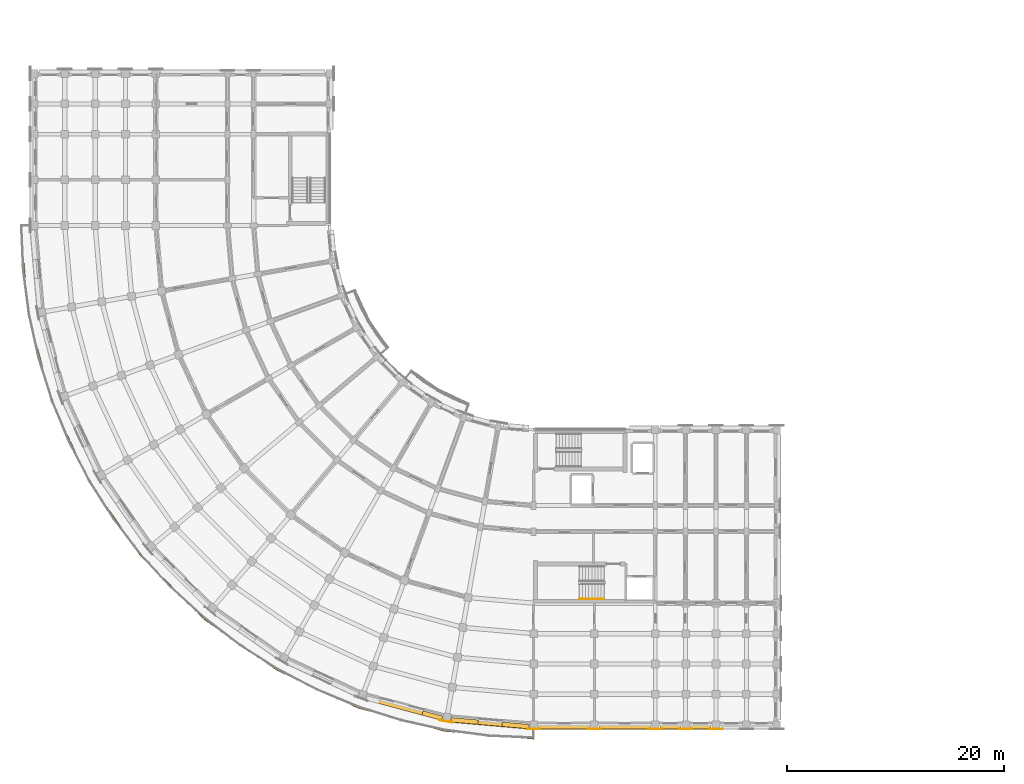
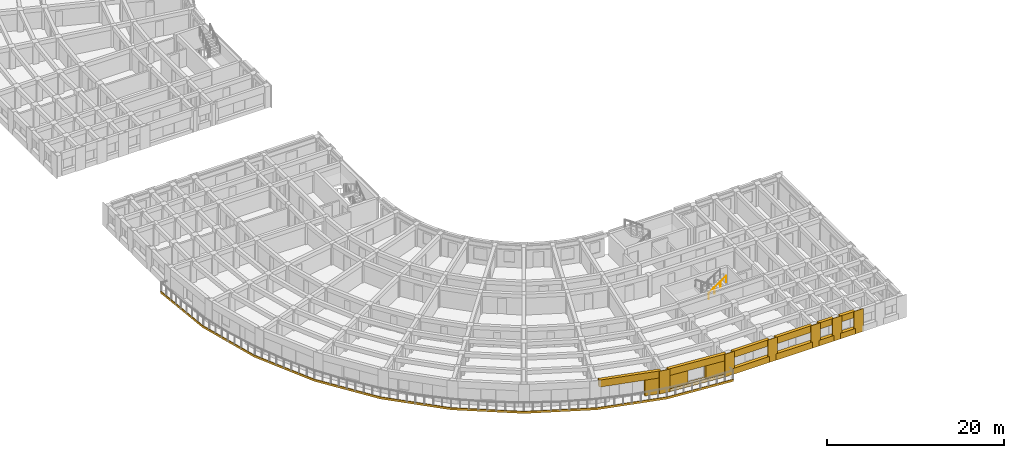
# One storey, part 41 of 57: 21 coverings, 1 railing.
"""IFC4 building model written with IfcOpenShell, lengths in metres."""

from ifc_helpers import new_model, si_unit, direction, frame, origin, origin_2d, place, context, subcontext, project, spatial, polyline, circle, outline, extrude, material, layer, layer_set, type_object, element, save


model = new_model("IFC4")

# Units and contexts
model_context = context("Model", 3, precision=1e-05, world=origin(), true_north=direction((0.0, 1.0)))
body_context = subcontext(model_context, "Body", "Model", "MODEL_VIEW")
ifc_project = project(units=[si_unit("LENGTHUNIT", "METRE"), si_unit("AREAUNIT", "SQUARE_METRE"), si_unit("VOLUMEUNIT", "CUBIC_METRE"), si_unit("PLANEANGLEUNIT", "RADIAN"), si_unit("MASSUNIT", "GRAM", prefix="KILO")], contexts=[model_context])

# Site, building, storey
site_placement = place(None, origin())
site = spatial("IfcSite", under=ifc_project, at=site_placement, CompositionType="ELEMENT")
building_placement = place(site_placement, origin())
building = spatial("IfcBuilding", under=site, at=building_placement, Name="Kiranvali Square Residences", CompositionType="ELEMENT")
storey_placement = place(building_placement, frame((0.0, 0.0, 18.14990234375)))
storey = spatial("IfcBuildingStorey", under=building, at=storey_placement, Name="L05", CompositionType="ELEMENT", Elevation=18.14990234375)

# Coverings
ifc_material_1 = material(Name="Carved Porbandar limestone classical entablature and cornice", Category="masonry")
ifc_layer_1 = layer(ifc_material_1, 0.072021484375)
ifc_layer_set_1 = layer_set([ifc_layer_1], Name="Carved Porbandar limestone classical entablature and cornice")
covering_type_1 = type_object("IfcCoveringType", Name="COV-CLAD-BAL", PredefinedType="CLADDING", material=ifc_layer_set_1)
covering_1_placement = place(storey_placement, frame((0.0, 0.0, -0.239990234375)))
element("IfcCovering", 1, at=covering_1_placement, inside=storey, type_object=covering_type_1, Name="Block C L05 continuous curved limestone balcony fascia", PredefinedType="CLADDING", context=body_context, shape_type="SweptSolid", body=[
    extrude(outline(polyline([(48.199951171875, 0.947998046875), (39.994873046875, 1.665771484375), (32.038818359375, 3.797607421875), (24.573974609375, 7.278564453125), (17.826904296875, 12.0029296875), (12.0029296875, 17.826904296875), (7.278564453125, 24.573974609375), (3.797607421875, 32.038818359375), (1.665771484375, 39.994873046875), (0.947998046875, 48.199951171875), (0.882080078125, 48.199951171875), (1.600830078125, 39.9833984375), (3.735595703125, 32.016357421875), (7.221435546875, 24.541015625), (11.952392578125, 17.78466796875), (17.78466796875, 11.952392578125), (24.541015625, 7.221435546875), (32.016357421875, 3.735595703125), (39.9833984375, 1.600830078125), (48.199951171875, 0.882080078125), (48.199951171875, 0.947998046875)])), origin(), (0.0, 0.0, 1.0), 0.300048828125),
])
ifc_material_2 = material(Name="Honed Porbandar limestone ashlar facade cladding", Category="masonry")
ifc_layer_2 = layer(ifc_material_2, 0.3798828125)
ifc_layer_set_2 = layer_set([ifc_layer_2], Name="Honed Porbandar limestone ashlar facade cladding")
covering_type_2 = type_object("IfcCoveringType", Name="COV-CLAD-JAMB", PredefinedType="CLADDING", material=ifc_layer_set_2)
covering_2_placement = place(storey_placement, frame((0.0, 0.0, 0.412109375)))
element("IfcCovering", 2, at=covering_2_placement, inside=storey, type_object=covering_type_2, Name="L05 deep limestone window jamb reveal C-L05-CRV-00.L", PredefinedType="CLADDING", context=body_context, shape_type="SweptSolid", body=[
    extrude(outline(polyline([(47.801513671875, 2.234375), (45.3017578125, 2.453125), (45.26611328125, 2.045166015625), (47.765869140625, 1.826416015625), (47.801513671875, 2.234375)])), origin(), (0.0, 0.0, 1.0), 1.800048828125),
])
covering_3_placement = place(storey_placement, frame((0.0, 0.0, 0.412109375)))
element("IfcCovering", 3, at=covering_3_placement, inside=storey, type_object=covering_type_2, Name="L05 deep limestone window jamb reveal C-L05-CRV-00.R", PredefinedType="CLADDING", context=body_context, shape_type="SweptSolid", body=[
    extrude(outline(polyline([(43.1103515625, 2.644775390625), (40.610595703125, 2.863525390625), (40.574951171875, 2.45556640625), (43.074462890625, 2.23681640625), (43.1103515625, 2.644775390625)])), origin(), (0.0, 0.0, 1.0), 1.800048828125),
])
covering_4_placement = place(storey_placement, origin())
element("IfcCovering", 4, at=covering_4_placement, inside=storey, type_object=covering_type_2, Name="L05 deep limestone window jamb reveal C-L05-CRV-01.L", PredefinedType="CLADDING", context=body_context, shape_type="SweptSolid", body=[
    extrude(outline(polyline([(39.82568359375, 3.001953125), (38.01318359375, 3.487548828125), (37.9072265625, 3.092041015625), (39.7197265625, 2.6064453125), (39.82568359375, 3.001953125)])), origin(), (0.0, 0.0, 1.0), 2.18017578125),
])
ifc_layer_3 = layer(ifc_material_2, 0.06494140625)
ifc_layer_set_3 = layer_set([ifc_layer_3], Name="Honed Porbandar limestone ashlar facade cladding")
covering_type_3 = type_object("IfcCoveringType", Name="COV-CLAD-PIER", PredefinedType="CLADDING", material=ifc_layer_set_3)
covering_5_placement = place(storey_placement, frame((0.0, 0.0, 0.005126953125)))
element("IfcCovering", 5, at=covering_5_placement, inside=storey, type_object=covering_type_3, Name="L05 Classical limestone corner pilaster CLAD-PR-C-L05-A00", PredefinedType="CLADDING", context=body_context, shape_type="SweptSolid", body=[
    extrude(outline(polyline([(47.570068359375, 1.781982421875), (48.830078125, 1.781982421875), (48.830078125, 1.849609375), (47.570068359375, 1.849609375), (47.570068359375, 1.781982421875)])), origin(), (0.0, 0.0, 1.0), 3.139892578125),
])
covering_6_placement = place(storey_placement, frame((0.0, 0.0, 0.005126953125)))
element("IfcCovering", 6, at=covering_6_placement, inside=storey, type_object=covering_type_3, Name="L05 Classical limestone corner pilaster CLAD-PR-C-L05-A01", PredefinedType="CLADDING", context=body_context, shape_type="SweptSolid", body=[
    extrude(outline(polyline([(39.519287109375, 2.5966796875), (40.760009765625, 2.377685546875), (40.771728515625, 2.4443359375), (39.531005859375, 2.6630859375), (39.519287109375, 2.5966796875)])), origin(), (0.0, 0.0, 1.0), 3.139892578125),
])
covering_7_placement = place(storey_placement, frame((0.0, 0.0, 0.005126953125)))
element("IfcCovering", 7, at=covering_7_placement, inside=storey, type_object=covering_type_3, Name="L05 Classical limestone pilaster casing CLAD-PR-C-L05-U56", PredefinedType="CLADDING", context=body_context, shape_type="SweptSolid", body=[
    extrude(outline(polyline([(53.169921875, 1.781982421875), (54.429931640625, 1.781982421875), (54.429931640625, 1.849609375), (53.169921875, 1.849609375), (53.169921875, 1.781982421875)])), origin(), (0.0, 0.0, 1.0), 3.139892578125),
])
covering_8_placement = place(storey_placement, frame((0.0, 0.0, 0.005126953125)))
element("IfcCovering", 8, at=covering_8_placement, inside=storey, type_object=covering_type_3, Name="L05 Classical limestone pilaster casing CLAD-PR-C-L05-U112", PredefinedType="CLADDING", context=body_context, shape_type="SweptSolid", body=[
    extrude(outline(polyline([(58.77001953125, 1.781982421875), (60.030029296875, 1.781982421875), (60.030029296875, 1.849609375), (58.77001953125, 1.849609375), (58.77001953125, 1.781982421875)])), origin(), (0.0, 0.0, 1.0), 3.139892578125),
])
covering_9_placement = place(storey_placement, frame((0.0, 0.0, 0.005126953125)))
element("IfcCovering", 9, at=covering_9_placement, inside=storey, type_object=covering_type_3, Name="L05 Classical limestone pilaster casing CLAD-PR-C-L05-U140", PredefinedType="CLADDING", context=body_context, shape_type="SweptSolid", body=[
    extrude(outline(polyline([(61.570068359375, 1.781982421875), (62.830078125, 1.781982421875), (62.830078125, 1.849609375), (61.570068359375, 1.849609375), (61.570068359375, 1.781982421875)])), origin(), (0.0, 0.0, 1.0), 3.139892578125),
])
covering_10_placement = place(storey_placement, frame((0.0, 0.0, 0.005126953125)))
element("IfcCovering", 10, at=covering_10_placement, inside=storey, type_object=covering_type_3, Name="L05 Classical limestone pilaster casing CLAD-PR-C-L05-U167", PredefinedType="CLADDING", context=body_context, shape_type="SweptSolid", body=[
    extrude(outline(polyline([(64.3701171875, 1.781982421875), (65.6298828125, 1.781982421875), (65.6298828125, 1.849609375), (64.3701171875, 1.849609375), (64.3701171875, 1.781982421875)])), origin(), (0.0, 0.0, 1.0), 3.139892578125),
])
ifc_layer_4 = layer(ifc_material_2, 0.360107421875)
ifc_layer_set_4 = layer_set([ifc_layer_4], Name="Honed Porbandar limestone ashlar facade cladding")
covering_type_4 = type_object("IfcCoveringType", Name="COV-CLAD-WALL", PredefinedType="CLADDING", material=ifc_layer_set_4)
covering_11_placement = place(storey_placement, frame((0.0, 0.0, 2.212158203125)))
element("IfcCovering", 11, at=covering_11_placement, inside=storey, type_object=covering_type_4, Name="L05 light limestone spandrel lintel C-L05-CRV-00", PredefinedType="CLADDING", context=body_context, shape_type="SweptSolid", body=[
    extrude(outline(polyline([(47.801513671875, 2.234375), (40.610595703125, 2.863525390625), (40.574951171875, 2.45556640625), (47.765869140625, 1.826416015625), (47.801513671875, 2.234375)])), origin(), (0.0, 0.0, 1.0), 0.932861328125),
])
covering_12_placement = place(storey_placement, frame((0.0, 0.0, 0.005126953125)))
element("IfcCovering", 12, at=covering_12_placement, inside=storey, type_object=covering_type_4, Name="L05 limestone window sill apron C-L05-CRV-00", PredefinedType="CLADDING", context=body_context, shape_type="SweptSolid", body=[
    extrude(outline(polyline([(47.801513671875, 2.234375), (40.610595703125, 2.863525390625), (40.572265625, 2.42578125), (47.76318359375, 1.796630859375), (47.801513671875, 2.234375)])), origin(), (0.0, 0.0, 1.0), 0.406982421875),
])
covering_13_placement = place(storey_placement, frame((0.0, 0.0, 2.18017578125)))
element("IfcCovering", 13, at=covering_13_placement, inside=storey, type_object=covering_type_4, Name="L05 light limestone spandrel lintel C-L05-CRV-01", PredefinedType="CLADDING", context=body_context, shape_type="SweptSolid", body=[
    extrude(outline(polyline([(39.82568359375, 3.001953125), (32.853271484375, 4.8701171875), (32.747314453125, 4.474609375), (39.7197265625, 2.6064453125), (39.82568359375, 3.001953125)])), origin(), (0.0, 0.0, 1.0), 0.96484375),
])
covering_14_placement = place(storey_placement, frame((0.0, 0.0, 2.280029296875)))
element("IfcCovering", 14, at=covering_14_placement, inside=storey, type_object=covering_type_4, Name="L05 light limestone spandrel lintel C-L05-A1O-0", PredefinedType="CLADDING", context=body_context, shape_type="SweptSolid", body=[
    extrude(outline(polyline([(48.639892578125, 1.800048828125), (53.360107421875, 1.800048828125), (53.360107421875, 2.199462890625), (48.639892578125, 2.199462890625), (48.639892578125, 1.800048828125)])), origin(), (0.0, 0.0, 1.0), 0.864990234375),
])
covering_15_placement = place(storey_placement, frame((0.0, 0.0, 0.005126953125)))
element("IfcCovering", 15, at=covering_15_placement, inside=storey, type_object=covering_type_4, Name="L05 limestone window sill apron C-L05-A1O-0", PredefinedType="CLADDING", context=body_context, shape_type="SweptSolid", body=[
    extrude(outline(polyline([(48.639892578125, 1.77001953125), (53.360107421875, 1.77001953125), (53.360107421875, 2.199462890625), (48.639892578125, 2.199462890625), (48.639892578125, 1.77001953125)])), origin(), (0.0, 0.0, 1.0), 0.824951171875),
])
covering_16_placement = place(storey_placement, frame((0.0, 0.0, 2.22998046875)))
element("IfcCovering", 16, at=covering_16_placement, inside=storey, type_object=covering_type_4, Name="L05 light limestone spandrel lintel C-L05-A1O-1", PredefinedType="CLADDING", context=body_context, shape_type="SweptSolid", body=[
    extrude(outline(polyline([(54.239990234375, 1.800048828125), (58.9599609375, 1.800048828125), (58.9599609375, 2.199462890625), (54.239990234375, 2.199462890625), (54.239990234375, 1.800048828125)])), origin(), (0.0, 0.0, 1.0), 0.9150390625),
])
covering_17_placement = place(storey_placement, frame((0.0, 0.0, 0.005126953125)))
element("IfcCovering", 17, at=covering_17_placement, inside=storey, type_object=covering_type_4, Name="L05 limestone window sill apron C-L05-A1O-1", PredefinedType="CLADDING", context=body_context, shape_type="SweptSolid", body=[
    extrude(outline(polyline([(54.239990234375, 1.77001953125), (58.9599609375, 1.77001953125), (58.9599609375, 2.199462890625), (54.239990234375, 2.199462890625), (54.239990234375, 1.77001953125)])), origin(), (0.0, 0.0, 1.0), 0.875),
])
covering_18_placement = place(storey_placement, frame((0.0, 0.0, 2.280029296875)))
element("IfcCovering", 18, at=covering_18_placement, inside=storey, type_object=covering_type_4, Name="L05 light limestone spandrel lintel C-L05-A1O-2", PredefinedType="CLADDING", context=body_context, shape_type="SweptSolid", body=[
    extrude(outline(polyline([(59.840087890625, 1.800048828125), (61.760009765625, 1.800048828125), (61.760009765625, 2.199462890625), (59.840087890625, 2.199462890625), (59.840087890625, 1.800048828125)])), origin(), (0.0, 0.0, 1.0), 0.864990234375),
])
covering_19_placement = place(storey_placement, frame((0.0, 0.0, 0.005126953125)))
element("IfcCovering", 19, at=covering_19_placement, inside=storey, type_object=covering_type_4, Name="L05 limestone window sill apron C-L05-A1O-2", PredefinedType="CLADDING", context=body_context, shape_type="SweptSolid", body=[
    extrude(outline(polyline([(59.840087890625, 1.77001953125), (61.760009765625, 1.77001953125), (61.760009765625, 2.199462890625), (59.840087890625, 2.199462890625), (59.840087890625, 1.77001953125)])), origin(), (0.0, 0.0, 1.0), 0.77490234375),
])
covering_20_placement = place(storey_placement, frame((0.0, 0.0, 2.280029296875)))
element("IfcCovering", 20, at=covering_20_placement, inside=storey, type_object=covering_type_4, Name="L05 light limestone spandrel lintel C-L05-A1O-3", PredefinedType="CLADDING", context=body_context, shape_type="SweptSolid", body=[
    extrude(outline(polyline([(62.639892578125, 1.800048828125), (64.56005859375, 1.800048828125), (64.56005859375, 2.199462890625), (62.639892578125, 2.199462890625), (62.639892578125, 1.800048828125)])), origin(), (0.0, 0.0, 1.0), 0.864990234375),
])
covering_21_placement = place(storey_placement, frame((0.0, 0.0, 0.005126953125)))
element("IfcCovering", 21, at=covering_21_placement, inside=storey, type_object=covering_type_4, Name="L05 limestone window sill apron C-L05-A1O-3", PredefinedType="CLADDING", context=body_context, shape_type="SweptSolid", body=[
    extrude(outline(polyline([(62.639892578125, 1.77001953125), (64.56005859375, 1.77001953125), (64.56005859375, 2.199462890625), (62.639892578125, 2.199462890625), (62.639892578125, 1.77001953125)])), origin(), (0.0, 0.0, 1.0), 0.77490234375),
])

# Railing
ifc_material_3 = material(Name="Brushed stainless steel tubular handrail", Category="steel")
railing_type = type_object("IfcRailingType", Name="RL-HANDRAIL-900", PredefinedType="HANDRAIL", material=ifc_material_3)
railing_placement = place(storey_placement, frame((52.419921875, 13.800048828125, 1.75)))
element("IfcRailing", 22, at=railing_placement, inside=storey, type_object=railing_type, Name="L05 ST-C1 stair handrail 2", PredefinedType="HANDRAIL", context=body_context, shape_type="SweptSolid", body=[
    extrude(circle(Radius=0.02392578125, at=origin_2d()), frame((0.0, 0.0, 0.8759765625), z_axis=(0.82274681792, 0.0, 0.568408016835), x_axis=(0.0, 1.0, 0.0)), (0.0, 0.0, 1.0), 2.771240234375),
    extrude(circle(Radius=0.02099609375, at=origin_2d()), origin(), (0.0, 0.0, 1.0), 0.851806640625),
    extrude(circle(Radius=0.02099609375, at=origin_2d()), frame((0.760009765625, 0.0, 0.525146484375)), (0.0, 0.0, 1.0), 0.851806640625),
    extrude(circle(Radius=0.02099609375, at=origin_2d()), frame((1.52001953125, 0.0, 1.050048828125)), (0.0, 0.0, 1.0), 0.851806640625),
    extrude(circle(Radius=0.02099609375, at=origin_2d()), frame((2.280029296875, 0.0, 1.5751953125)), (0.0, 0.0, 1.0), 0.851806640625),
])

save(model, "model.ifc")
